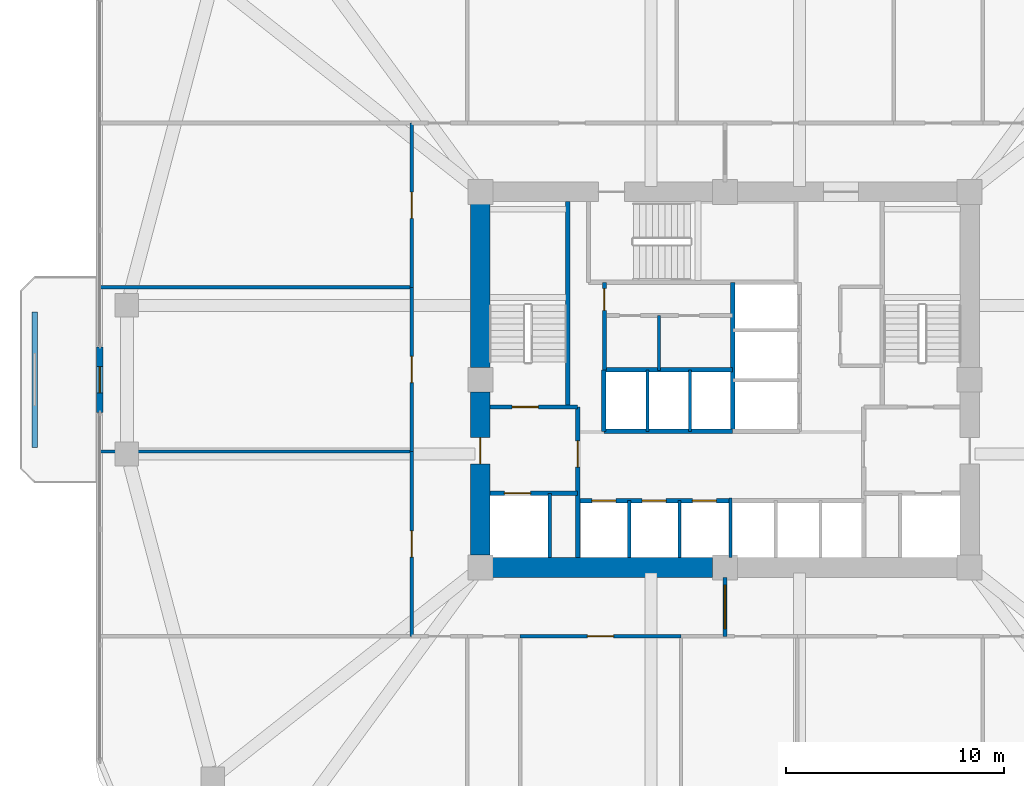
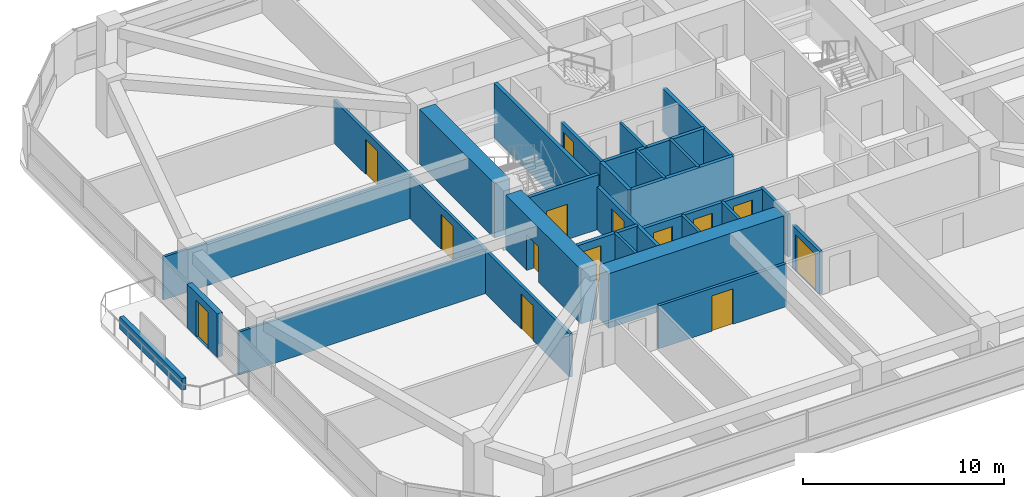
# One storey, part 10 of 15: 29 walls, 14 doors, 14 openings.
"""IFC4 building model written with IfcOpenShell, lengths in metres."""

import ifcopenshell
import ifcopenshell.guid

model = None  # the IFC model being written
_history = None  # IfcOwnerHistory: only IFC2X3 demands one
_inside = {}  # id of a spatial element -> (the spatial element, [elements in it])
_under = {}  # id of a project, library or spatial element -> (it, [spatial elements below it])
_declared = {}  # id of a project -> (the project, [libraries it declares])
_typed = {}  # id of a type object -> (the type object, [elements of that type])
_made_of = {}  # id of a material, layer set ... -> (it, [elements and type objects made of it])


def new_model(schema):
    """Start an empty IFC model of exactly this schema.

    Asked for "IFC4X3", IfcOpenShell would pick the latest addendum, in which some entities
    have other attributes; the version numbers below select the first issue.
    IFC2X3 requires an IfcOwnerHistory on every rooted entity: one is made here for all.
    """
    global model, _history
    if schema == "IFC4X3":
        model = ifcopenshell.file(schema_version=(4, 3, 0, 0))
    else:
        model = ifcopenshell.file(schema=schema)
    _inside.clear()
    _under.clear()
    _declared.clear()
    _typed.clear()
    _made_of.clear()
    _history = None
    if model.schema == "IFC2X3":
        org = make("IfcOrganization", Name="unknown")
        user = make(
            "IfcPersonAndOrganization",
            ThePerson=make("IfcPerson", FamilyName="unknown"),
            TheOrganization=org,
        )
        app = make(
            "IfcApplication",
            ApplicationDeveloper=org,
            Version="unknown",
            ApplicationFullName="unknown",
            ApplicationIdentifier="unknown",
        )
        _history = make(
            "IfcOwnerHistory",
            OwningUser=user,
            OwningApplication=app,
            ChangeAction="ADDED",
            CreationDate=0,
        )
    return model


def make(cls, **values):
    """One entity of the class cls with the attributes given. An attribute that is None is left unset."""
    return model.create_entity(
        cls, **{name: value for name, value in values.items() if value is not None}
    )


def rooted(cls, **values):
    """An entity with a GlobalId (a new one), such as an element, a storey or a relation."""
    return make(cls, GlobalId=ifcopenshell.guid.new(), OwnerHistory=_history, **values)


def si_unit(unit_type, name, prefix=None):
    """IfcSIUnit, for example si_unit("LENGTHUNIT", "METRE", prefix="MILLI")."""
    return make("IfcSIUnit", UnitType=unit_type, Prefix=prefix, Name=name)


def derived_unit(unit_type, elements):
    """IfcDerivedUnit: a product of units, each with its exponent."""
    return make(
        "IfcDerivedUnit",
        Elements=[
            make("IfcDerivedUnitElement", Unit=unit, Exponent=power)
            for unit, power in elements
        ],
        UnitType=unit_type,
    )


def assignment(units):
    """IfcUnitAssignment: the units of a project."""
    return None if units is None else make("IfcUnitAssignment", Units=units)


def point(xyz):
    """IfcCartesianPoint."""
    return None if xyz is None else make("IfcCartesianPoint", Coordinates=xyz)


def direction(xyz):
    """IfcDirection."""
    return None if xyz is None else make("IfcDirection", DirectionRatios=xyz)


def frame(location, z_axis=None, x_axis=None):
    """IfcAxis2Placement3D, a coordinate frame: its origin and axes. An axis left out is left unset."""
    return make(
        "IfcAxis2Placement3D",
        Location=point(location),
        Axis=direction(z_axis),
        RefDirection=direction(x_axis),
    )


def frame_2d(location, x_axis=None):
    """IfcAxis2Placement2D, a coordinate frame in the plane: its origin and x axis."""
    return make(
        "IfcAxis2Placement2D", Location=point(location), RefDirection=direction(x_axis)
    )


def origin():
    """The frame at (0, 0, 0) with its axes left unset."""
    return frame((0.0, 0.0, 0.0))


def place(relative_to, where):
    """IfcLocalPlacement: puts the frame where relative to a parent placement (None: the world)."""
    return make(
        "IfcLocalPlacement", PlacementRelTo=relative_to, RelativePlacement=where
    )


def context(
    kind, dimensions, precision=None, world=None, true_north=None, identifier=None
):
    """IfcGeometricRepresentationContext, for example the 3D "Model" context."""
    return make(
        "IfcGeometricRepresentationContext",
        ContextIdentifier=identifier,
        ContextType=kind,
        CoordinateSpaceDimension=dimensions,
        Precision=precision,
        WorldCoordinateSystem=world,
        TrueNorth=true_north,
    )


def subcontext(parent, identifier, kind, view, scale=None):
    """IfcGeometricRepresentationSubContext, for example "Body" below "Model"."""
    return make(
        "IfcGeometricRepresentationSubContext",
        ContextIdentifier=identifier,
        ContextType=kind,
        ParentContext=parent,
        TargetScale=scale,
        TargetView=view,
    )


def project(units=None, contexts=None):
    """IfcProject with its units and contexts."""
    return rooted(
        "IfcProject",
        Name="project",
        RepresentationContexts=contexts,
        UnitsInContext=assignment(units),
    )


def spatial(cls, under=None, at=None, **own):
    """A site, building, storey or space (cls), placed at a placement, below another one or the project."""
    s = rooted(cls, ObjectPlacement=at, **own)
    if under is not None:
        _under.setdefault(under.id(), (under, []))[1].append(s)
    return s


def profile(cls, at=None, kind="AREA", **sizes):
    """A parametric profile (cls). Its sizes go by their IFC names, for example OverallWidth=200.0."""
    return make(cls, ProfileType=kind, Position=at, **sizes)


def rectangle(**sizes):
    """IfcRectangleProfileDef."""
    return profile("IfcRectangleProfileDef", **sizes)


def extrude(swept, where, along, depth):
    """IfcExtrudedAreaSolid: the profile swept, set in the frame where, extruded along a direction by depth."""
    return make(
        "IfcExtrudedAreaSolid",
        SweptArea=swept,
        Position=where,
        ExtrudedDirection=direction(along),
        Depth=depth,
    )


def shape(context_of_items, identifier, shape_type, items):
    """IfcShapeRepresentation: the items that make up one representation, for example the "Body"."""
    return make(
        "IfcShapeRepresentation",
        ContextOfItems=context_of_items,
        RepresentationIdentifier=identifier,
        RepresentationType=shape_type,
        Items=items,
    )


def material(Name=None, Category=None):
    """IfcMaterial."""
    return make("IfcMaterial", Name=Name, Category=Category)


def layer(
    of_material, thickness, ventilated=None, Name=None, Category=None, Priority=None
):
    """IfcMaterialLayer: one layer of a wall or slab, of a material (None: an air gap)."""
    return make(
        "IfcMaterialLayer",
        Material=of_material,
        LayerThickness=thickness,
        IsVentilated=ventilated,
        Name=Name,
        Category=Category,
        Priority=Priority,
    )


def layer_set(layers, Name=None):
    """IfcMaterialLayerSet."""
    return make("IfcMaterialLayerSet", MaterialLayers=layers, LayerSetName=Name)


def made_of(thing, what):
    """Note that an element or type object is made of a material, layer set ...; save() writes the relation."""
    if what is not None:
        _made_of.setdefault(what.id(), (what, []))[1].append(thing)
    return thing


def type_object(cls, material=None, **own):
    """A type object (cls), such as IfcWallType, which elements share."""
    return made_of(rooted(cls, **own), material)


def element(
    cls,
    number,
    at=None,
    inside=None,
    cuts=None,
    type_object=None,
    material=None,
    context=None,
    identifier="Body",
    shape_type=None,
    held_by="IfcProductDefinitionShape",
    body=None,
    shapes=None,
    **own,
):
    """One element of the class cls, such as IfcWall. Its Tag is "e" and its number.

    at: its placement. inside: the storey or other place that contains it. cuts: it is an
    opening in that element (IfcRelVoidsElement). A single representation is given by context,
    identifier, shape_type and body (its items); several are given by shapes. held_by: the class
    of the entity that holds the representations. save() writes the other relations.
    """
    e = rooted(cls, Tag="e%d" % number, ObjectPlacement=at, **own)
    if body is not None:
        shapes = [shape(context, identifier, shape_type, body)]
    if shapes is not None:
        e.Representation = make(held_by, Representations=shapes)
    if inside is not None:
        _inside.setdefault(inside.id(), (inside, []))[1].append(e)
    if cuts is not None:
        rooted(
            "IfcRelVoidsElement", RelatingBuildingElement=cuts, RelatedOpeningElement=e
        )
    if type_object is not None:
        _typed.setdefault(type_object.id(), (type_object, []))[1].append(e)
    return made_of(e, material)


def fill(opening, filler):
    """IfcRelFillsElement: the door or window that sits in an opening."""
    return rooted(
        "IfcRelFillsElement",
        RelatingOpeningElement=opening,
        RelatedBuildingElement=filler,
    )


def aggregate(whole, parts):
    """IfcRelAggregates: a whole, such as a stair, and the parts it consists of."""
    return rooted("IfcRelAggregates", RelatingObject=whole, RelatedObjects=parts)


def save(model, path):
    """Write the relations noted so far, then the file.

    IfcRelAggregates (storeys below a building ...), IfcRelContainedInSpatialStructure (elements
    in a storey), IfcRelDefinesByType, IfcRelAssociatesMaterial and IfcRelDeclares: one each for
    every whole, place, type object, material and project.
    """
    for whole, parts in _under.values():
        aggregate(whole, parts)
    for where, things in _inside.values():
        rooted(
            "IfcRelContainedInSpatialStructure",
            RelatedElements=things,
            RelatingStructure=where,
        )
    for kind, things in _typed.values():
        rooted("IfcRelDefinesByType", RelatedObjects=things, RelatingType=kind)
    for what, things in _made_of.values():
        rooted("IfcRelAssociatesMaterial", RelatedObjects=things, RelatingMaterial=what)
    for by, libraries in _declared.values():
        rooted("IfcRelDeclares", RelatingContext=by, RelatedDefinitions=libraries)
    model.write(path)


model = new_model("IFC4")

# Units and contexts
model_context = context("Model", 3, precision=1e-05, world=origin(), true_north=direction((0.0, 1.0)))
body_context = subcontext(model_context, "Body", "Model", "MODEL_VIEW")
ifc_project = project(units=[si_unit("LENGTHUNIT", "METRE"), si_unit("AREAUNIT", "SQUARE_METRE"), si_unit("VOLUMEUNIT", "CUBIC_METRE"), si_unit("PLANEANGLEUNIT", "RADIAN"), si_unit("MASSUNIT", "GRAM", prefix="KILO"), derived_unit("THERMALTRANSMITTANCEUNIT", [(si_unit("POWERUNIT", "WATT"), 1), (si_unit("LENGTHUNIT", "METRE"), -2), (si_unit("THERMODYNAMICTEMPERATUREUNIT", "KELVIN"), -1)])], contexts=[model_context])

# Site, building, storey
site_placement = place(None, origin())
site = spatial("IfcSite", under=ifc_project, at=site_placement, CompositionType="ELEMENT")
building_placement = place(site_placement, origin())
building = spatial("IfcBuilding", under=site, at=building_placement, Name="Koralith Skygarden Medical Center", CompositionType="ELEMENT")
storey_placement = place(building_placement, frame((0.0, 0.0, 27.5400390625)))
storey = spatial("IfcBuildingStorey", under=building, at=storey_placement, Name="L06", CompositionType="ELEMENT", Elevation=27.5400390625)

# Walls
ifc_material_1 = material(Name="Gypsum Board Partition")
ifc_layer_1 = layer(ifc_material_1, 0.14990234375)
ifc_layer_set_1 = layer_set([ifc_layer_1], Name="Gypsum Board Partition")
wall_type_1 = type_object("IfcWallType", Name="Clinical Acoustic Partition 150", PredefinedType="PARTITIONING", material=ifc_layer_set_1)
wall_1_placement = place(storey_placement, frame((33.97998046875, 26.320068359375, 0.0), z_axis=(0.0, 0.0, 1.0), x_axis=(0.0, 1.0, 0.0)))
element("IfcWall", 1, at=wall_1_placement, inside=storey, type_object=wall_type_1, Name="L06 Clinical Acoustic Partition 150 W-CORE-L06-FLEX-V3A", PredefinedType="PARTITIONING", context=body_context, shape_type="SweptSolid", body=[
    extrude(rectangle(XDim=2.52001953125, YDim=0.14990234375, at=frame_2d((1.260009765625, 0.0))), origin(), (0.0, 0.0, 1.0), 2.60986328125),
])
for number, where, z_axis, x_axis, name in (
    (2, (22.64990234375, 22.610107421875, 0.0), (0.0, 0.0, 1.0), (-1.0, 0.0, 0.0), "L06 Clinical Acoustic Partition 150 W-PART-L06-W-01"),
    (3, (22.64990234375, 30.1298828125, 0.0), (0.0, 0.0, 1.0), (-1.0, 0.0, 0.0), "L06 Clinical Acoustic Partition 150 W-PART-L06-W-02"),
):
    element("IfcWall", number, at=place(storey_placement, frame(where, z_axis=z_axis, x_axis=x_axis)), inside=storey, type_object=wall_type_1, Name=name, PredefinedType="PARTITIONING", context=body_context, shape_type="SweptSolid", body=[
        extrude(rectangle(XDim=14.25, YDim=0.14990234375, at=frame_2d((7.125, 0.0))), origin(), (0.0, 0.0, 1.0), 2.60986328125),
    ])

# Wall, opening, door
ifc_layer_2 = layer(ifc_material_1, 0.1650390625)
ifc_layer_set_2 = layer_set([ifc_layer_2], Name="Gypsum Board Partition")
wall_type_2 = type_object("IfcWallType", Name="Clinical Corridor Partition 165", PredefinedType="PARTITIONING", material=ifc_layer_set_2)
wall_2_placement = place(storey_placement, frame((27.623046875, 14.14990234375, 0.0), z_axis=(0.0, 0.0, 1.0), x_axis=(1.0, 0.0, 0.0)))
wall_2 = element("IfcWall", 4, at=wall_2_placement, inside=storey, type_object=wall_type_2, Name="L06 Clinical Corridor Partition 165 W-CORR-L06-S-03", PredefinedType="PARTITIONING", context=body_context, shape_type="SweptSolid", body=[
    extrude(rectangle(XDim=7.35791015625, YDim=0.1650390625, at=frame_2d((3.678955078125, 0.0))), origin(), (0.0, 0.0, 1.0), 2.60986328125),
])
opening_1_placement = place(wall_2_placement, frame((3.0791015625, 0.0, 0.0)))
opening_1 = element("IfcOpeningElement", 5, at=opening_1_placement, cuts=wall_2, Name="Opening D-CLN", PredefinedType="OPENING", context=body_context, shape_type="SweptSolid", body=[
    extrude(rectangle(XDim=1.199951171875, YDim=2.14990234375, at=frame_2d((0.60009765625, 1.074951171875))), frame((0.0, 0.092529296875, 0.0), z_axis=(0.0, -1.0, 0.0), x_axis=(1.0, 0.0, 0.0)), (0.0, 0.0, 1.0), 0.18505859375),
])
ifc_material_2 = material(Name="Aluminium 6063-T6", Category="aluminium")
door_type_1 = type_object("IfcDoorType", Name="Clinical Corridor Door D-CLN 1200", OperationType="NOTDEFINED", PredefinedType="DOOR", material=ifc_material_2)
door_1_placement = place(opening_1_placement, frame((1.199951171875, 0.0, 0.0), z_axis=(0.0, 0.0, 1.0), x_axis=(-1.0, 0.0, 0.0)))
door_1 = element("IfcDoor", 6, at=door_1_placement, inside=storey, type_object=door_type_1, Name="L06 Clinical Consultation Office 08 Door", OperationType="SINGLE_SWING_LEFT", OverallHeight=2.14990234375, OverallWidth=1.199951171875, PredefinedType="DOOR", context=body_context, shape_type="SweptSolid", body=[
    extrude(rectangle(XDim=1.199951171875, YDim=2.14990234375, at=frame_2d((0.60009765625, 1.074951171875))), frame((0.0, 0.02490234375, 0.0), z_axis=(0.0, -1.0, 0.0), x_axis=(1.0, 0.0, 0.0)), (0.0, 0.0, 1.0), 0.050048828125),
])
fill(opening_1, door_1)

wall_3_placement = place(storey_placement, frame((22.64990234375, 14.14990234375, 0.0), z_axis=(0.0, 0.0, 1.0), x_axis=(0.0, 1.0, 0.0)))
wall_3 = element("IfcWall", 7, at=wall_3_placement, inside=storey, type_object=wall_type_2, Name="L06 Clinical Corridor Partition 165 W-CORR-L06-W-01", PredefinedType="PARTITIONING", context=body_context, shape_type="SweptSolid", body=[
    extrude(rectangle(XDim=8.460205078125, YDim=0.1650390625, at=frame_2d((4.22998046875, 0.0))), origin(), (0.0, 0.0, 1.0), 2.60986328125),
])
opening_2_placement = place(wall_3_placement, frame((3.6298828125, 0.0, 0.0)))
opening_2 = element("IfcOpeningElement", 8, at=opening_2_placement, cuts=wall_3, Name="Opening D-CLN", PredefinedType="OPENING", context=body_context, shape_type="SweptSolid", body=[
    extrude(rectangle(XDim=1.199951171875, YDim=2.14990234375, at=frame_2d((0.60009765625, 1.074951171875))), frame((0.0, 0.092529296875, 0.0), z_axis=(0.0, -1.0, 0.0), x_axis=(1.0, 0.0, 0.0)), (0.0, 0.0, 1.0), 0.18505859375),
])
door_2_placement = place(opening_2_placement, frame((1.199951171875, 0.0, 0.0), z_axis=(0.0, 0.0, 1.0), x_axis=(-1.0, 0.0, 0.0)))
door_2 = element("IfcDoor", 9, at=door_2_placement, inside=storey, type_object=door_type_1, Name="L06 Clinical Consultation Office 12 Door", OperationType="SINGLE_SWING_LEFT", OverallHeight=2.14990234375, OverallWidth=1.199951171875, PredefinedType="DOOR", context=body_context, shape_type="SweptSolid", body=[
    extrude(rectangle(XDim=1.199951171875, YDim=2.14990234375, at=frame_2d((0.60009765625, 1.074951171875))), frame((0.0, 0.02490234375, 0.0), z_axis=(0.0, -1.0, 0.0), x_axis=(1.0, 0.0, 0.0)), (0.0, 0.0, 1.0), 0.050048828125),
])
fill(opening_2, door_2)

wall_4_placement = place(storey_placement, frame((22.64990234375, 22.610107421875, 0.0), z_axis=(0.0, 0.0, 1.0), x_axis=(0.0, 1.0, 0.0)))
wall_4 = element("IfcWall", 10, at=wall_4_placement, inside=storey, type_object=wall_type_2, Name="L06 Clinical Corridor Partition 165 W-CORR-L06-W-02", PredefinedType="PARTITIONING", context=body_context, shape_type="SweptSolid", body=[
    extrude(rectangle(XDim=7.519775390625, YDim=0.1650390625, at=frame_2d((3.759765625, 0.0))), origin(), (0.0, 0.0, 1.0), 2.60986328125),
])
opening_3_placement = place(wall_4_placement, frame((3.159912109375, 0.0, 0.0)))
opening_3 = element("IfcOpeningElement", 11, at=opening_3_placement, cuts=wall_4, Name="Opening D-CLN", PredefinedType="OPENING", context=body_context, shape_type="SweptSolid", body=[
    extrude(rectangle(XDim=1.199951171875, YDim=2.14990234375, at=frame_2d((0.60009765625, 1.074951171875))), frame((0.0, 0.092529296875, 0.0), z_axis=(0.0, -1.0, 0.0), x_axis=(1.0, 0.0, 0.0)), (0.0, 0.0, 1.0), 0.18505859375),
])
door_3_placement = place(opening_3_placement, frame((1.199951171875, 0.0, 0.0), z_axis=(0.0, 0.0, 1.0), x_axis=(-1.0, 0.0, 0.0)))
door_3 = element("IfcDoor", 12, at=door_3_placement, inside=storey, type_object=door_type_1, Name="L06 Patient and Family Sky-Garden Day Lounge 13 Door", OperationType="SINGLE_SWING_RIGHT", OverallHeight=2.14990234375, OverallWidth=1.199951171875, PredefinedType="DOOR", context=body_context, shape_type="SweptSolid", body=[
    extrude(rectangle(XDim=1.199951171875, YDim=2.14990234375, at=frame_2d((0.60009765625, 1.074951171875))), frame((0.0, 0.02490234375, 0.0), z_axis=(0.0, -1.0, 0.0), x_axis=(1.0, 0.0, 0.0)), (0.0, 0.0, 1.0), 0.050048828125),
])
fill(opening_3, door_3)

wall_5_placement = place(storey_placement, frame((22.64990234375, 30.1298828125, 0.0), z_axis=(0.0, 0.0, 1.0), x_axis=(0.0, 1.0, 0.0)))
wall_5 = element("IfcWall", 13, at=wall_5_placement, inside=storey, type_object=wall_type_2, Name="L06 Clinical Corridor Partition 165 W-CORR-L06-W-03", PredefinedType="PARTITIONING", context=body_context, shape_type="SweptSolid", body=[
    extrude(rectangle(XDim=7.52001953125, YDim=0.1650390625, at=frame_2d((3.760009765625, 0.0))), origin(), (0.0, 0.0, 1.0), 2.60986328125),
])
opening_4_placement = place(wall_5_placement, frame((3.159912109375, 0.0, 0.0)))
opening_4 = element("IfcOpeningElement", 14, at=opening_4_placement, cuts=wall_5, Name="Opening D-CLN", PredefinedType="OPENING", context=body_context, shape_type="SweptSolid", body=[
    extrude(rectangle(XDim=1.199951171875, YDim=2.14990234375, at=frame_2d((0.60009765625, 1.074951171875))), frame((0.0, 0.092529296875, 0.0), z_axis=(0.0, -1.0, 0.0), x_axis=(1.0, 0.0, 0.0)), (0.0, 0.0, 1.0), 0.18505859375),
])
door_4_placement = place(opening_4_placement, frame((1.199951171875, 0.0, 0.0), z_axis=(0.0, 0.0, 1.0), x_axis=(-1.0, 0.0, 0.0)))
door_4 = element("IfcDoor", 15, at=door_4_placement, inside=storey, type_object=door_type_1, Name="L06 Decentralized Nurse Charting Station 14 Door", OperationType="SINGLE_SWING_LEFT", OverallHeight=2.14990234375, OverallWidth=1.199951171875, PredefinedType="DOOR", context=body_context, shape_type="SweptSolid", body=[
    extrude(rectangle(XDim=1.199951171875, YDim=2.14990234375, at=frame_2d((0.60009765625, 1.074951171875))), frame((0.0, 0.02490234375, 0.0), z_axis=(0.0, -1.0, 0.0), x_axis=(1.0, 0.0, 0.0)), (0.0, 0.0, 1.0), 0.050048828125),
])
fill(opening_4, door_4)

ifc_layer_3 = layer(ifc_material_1, 0.199951171875)
ifc_layer_set_3 = layer_set([ifc_layer_3], Name="Gypsum Board Partition")
wall_type_3 = type_object("IfcWallType", Name="Fire Shaft Wall 200", PredefinedType="SOLIDWALL", material=ifc_layer_set_3)
wall_6_placement = place(storey_placement, frame((26.25, 20.699951171875, 0.0), z_axis=(0.0, 0.0, 1.0), x_axis=(1.0, 0.0, 0.0)))
wall_6 = element("IfcWall", 16, at=wall_6_placement, inside=storey, type_object=wall_type_3, Name="L06 Fire Shaft Wall 200 W-CORE-L06-FF1-N", PredefinedType="SOLIDWALL", context=body_context, shape_type="SweptSolid", body=[
    extrude(rectangle(XDim=4.0, YDim=0.199951171875, at=frame_2d((2.0, 0.0))), origin(), (0.0, 0.0, 1.0), 2.60986328125),
])
opening_5_placement = place(wall_6_placement, frame((0.64990234375, 0.0, 0.0)))
opening_5 = element("IfcOpeningElement", 17, at=opening_5_placement, cuts=wall_6, Name="Opening LD-FF", PredefinedType="OPENING", context=body_context, shape_type="SweptSolid", body=[
    extrude(rectangle(XDim=1.199951171875, YDim=2.14990234375, at=frame_2d((0.60009765625, 1.074951171875))), frame((0.0, 0.10986328125, 0.0), z_axis=(0.0, -1.0, 0.0), x_axis=(1.0, 0.0, 0.0)), (0.0, 0.0, 1.0), 0.219970703125),
])
ifc_material_3 = material(Name="Steel ASTM A500 Grade C", Category="steel")
door_type_2 = type_object("IfcDoorType", Name="Fire Lift Sliding Landing Door LD-FF 1200", OperationType="NOTDEFINED", PredefinedType="DOOR", material=ifc_material_3)
door_5_placement = place(opening_5_placement, origin())
door_5 = element("IfcDoor", 18, at=door_5_placement, inside=storey, type_object=door_type_2, Name="L06 Fire Service Elevator FF1 Landing Door", OperationType="SLIDING_TO_LEFT", OverallHeight=2.14990234375, OverallWidth=1.199951171875, PredefinedType="DOOR", context=body_context, shape_type="SweptSolid", body=[
    extrude(rectangle(XDim=1.199951171875, YDim=2.14990234375, at=frame_2d((0.60009765625, 1.074951171875))), frame((0.0, 0.02490234375, 0.0), z_axis=(0.0, -1.0, 0.0), x_axis=(1.0, 0.0, 0.0)), (0.0, 0.0, 1.0), 0.050048828125),
])
fill(opening_5, door_5)

wall_7_placement = place(storey_placement, frame((30.25, 17.75, 0.0), z_axis=(0.0, 0.0, 1.0), x_axis=(0.0, 1.0, 0.0)))
wall_7 = element("IfcWall", 19, at=wall_7_placement, inside=storey, type_object=wall_type_3, Name="L06 Fire Shaft Wall 200 W-CORE-L06-FSAEW-E", PredefinedType="SOLIDWALL", context=body_context, shape_type="SweptSolid", body=[
    extrude(rectangle(XDim=6.89990234375, YDim=0.199951171875, at=frame_2d((3.449951171875, 0.0))), origin(), (0.0, 0.0, 1.0), 2.60986328125),
])
opening_6_placement = place(wall_7_placement, frame((4.14990234375, 0.0, 0.0)))
opening_6 = element("IfcOpeningElement", 20, at=opening_6_placement, cuts=wall_7, Name="Opening D-ST60", PredefinedType="OPENING", context=body_context, shape_type="SweptSolid", body=[
    extrude(rectangle(XDim=1.199951171875, YDim=2.14990234375, at=frame_2d((0.60009765625, 1.074951171875))), frame((0.0, 0.10986328125, 0.0), z_axis=(0.0, -1.0, 0.0), x_axis=(1.0, 0.0, 0.0)), (0.0, 0.0, 1.0), 0.219970703125),
])
door_type_3 = type_object("IfcDoorType", Name="Smokeproof Stair Fire Door FD60S 1200", OperationType="NOTDEFINED", PredefinedType="DOOR", material=ifc_material_3)
door_6_placement = place(opening_6_placement, origin())
door_6 = element("IfcDoor", 21, at=door_6_placement, inside=storey, type_object=door_type_3, Name="L06 West Firefighting Lobby Inner Fire Door", OperationType="SINGLE_SWING_LEFT", OverallHeight=2.14990234375, OverallWidth=1.199951171875, PredefinedType="DOOR", context=body_context, shape_type="SweptSolid", body=[
    extrude(rectangle(XDim=1.199951171875, YDim=2.14990234375, at=frame_2d((0.60009765625, 1.074951171875))), frame((0.0, 0.02490234375, 0.0), z_axis=(0.0, -1.0, 0.0), x_axis=(1.0, 0.0, 0.0)), (0.0, 0.0, 1.0), 0.050048828125),
])
fill(opening_6, door_6)

# Wall, openings, doors
wall_8_placement = place(storey_placement, frame((30.25, 20.360107421875, 0.0), z_axis=(0.0, 0.0, 1.0), x_axis=(1.0, 0.0, 0.0)))
wall_8 = element("IfcWall", 22, at=wall_8_placement, inside=storey, type_object=wall_type_3, Name="L06 Fire Shaft Wall 200 W-CORE-L06-PL-N", PredefinedType="SOLIDWALL", context=body_context, shape_type="SweptSolid", body=[
    extrude(rectangle(XDim=7.0, YDim=0.199951171875, at=frame_2d((3.5, 0.0))), origin(), (0.0, 0.0, 1.0), 2.60986328125),
])
opening_7_placement = place(wall_8_placement, frame((0.64990234375, 0.0, 0.0)))
opening_7 = element("IfcOpeningElement", 23, at=opening_7_placement, cuts=wall_8, Name="Opening LD-P", PredefinedType="OPENING", context=body_context, shape_type="SweptSolid", body=[
    extrude(rectangle(XDim=1.10009765625, YDim=2.14990234375, at=frame_2d((0.550048828125, 1.074951171875))), frame((0.0, 0.10986328125, 0.0), z_axis=(0.0, -1.0, 0.0), x_axis=(1.0, 0.0, 0.0)), (0.0, 0.0, 1.0), 0.219970703125),
])
opening_8_placement = place(wall_8_placement, frame((2.949951171875, 0.0, 0.0)))
opening_8 = element("IfcOpeningElement", 24, at=opening_8_placement, cuts=wall_8, Name="Opening LD-P", PredefinedType="OPENING", context=body_context, shape_type="SweptSolid", body=[
    extrude(rectangle(XDim=1.10009765625, YDim=2.14990234375, at=frame_2d((0.550048828125, 1.074951171875))), frame((0.0, 0.10986328125, 0.0), z_axis=(0.0, -1.0, 0.0), x_axis=(1.0, 0.0, 0.0)), (0.0, 0.0, 1.0), 0.219970703125),
])
opening_9_placement = place(wall_8_placement, frame((5.25, 0.0, 0.0)))
opening_9 = element("IfcOpeningElement", 25, at=opening_9_placement, cuts=wall_8, Name="Opening LD-P", PredefinedType="OPENING", context=body_context, shape_type="SweptSolid", body=[
    extrude(rectangle(XDim=1.10009765625, YDim=2.14990234375, at=frame_2d((0.550048828125, 1.074951171875))), frame((0.0, 0.10986328125, 0.0), z_axis=(0.0, -1.0, 0.0), x_axis=(1.0, 0.0, 0.0)), (0.0, 0.0, 1.0), 0.219970703125),
])
door_type_4 = type_object("IfcDoorType", Name="Passenger Lift Sliding Landing Door LD-P 1100", OperationType="NOTDEFINED", PredefinedType="DOOR", material=ifc_material_3)
door_7_placement = place(opening_7_placement, origin())
door_7 = element("IfcDoor", 26, at=door_7_placement, inside=storey, type_object=door_type_4, Name="L06 Passenger Elevator PL1 Landing Door", OperationType="SLIDING_TO_LEFT", OverallHeight=2.14990234375, OverallWidth=1.10009765625, PredefinedType="DOOR", context=body_context, shape_type="SweptSolid", body=[
    extrude(rectangle(XDim=1.10009765625, YDim=2.14990234375, at=frame_2d((0.550048828125, 1.074951171875))), frame((0.0, 0.02490234375, 0.0), z_axis=(0.0, -1.0, 0.0), x_axis=(1.0, 0.0, 0.0)), (0.0, 0.0, 1.0), 0.050048828125),
])
fill(opening_7, door_7)
door_8_placement = place(opening_8_placement, origin())
door_8 = element("IfcDoor", 27, at=door_8_placement, inside=storey, type_object=door_type_4, Name="L06 Passenger Elevator PL2 Landing Door", OperationType="SLIDING_TO_LEFT", OverallHeight=2.14990234375, OverallWidth=1.10009765625, PredefinedType="DOOR", context=body_context, shape_type="SweptSolid", body=[
    extrude(rectangle(XDim=1.10009765625, YDim=2.14990234375, at=frame_2d((0.550048828125, 1.074951171875))), frame((0.0, 0.02490234375, 0.0), z_axis=(0.0, -1.0, 0.0), x_axis=(1.0, 0.0, 0.0)), (0.0, 0.0, 1.0), 0.050048828125),
])
fill(opening_8, door_8)
door_9_placement = place(opening_9_placement, origin())
door_9 = element("IfcDoor", 28, at=door_9_placement, inside=storey, type_object=door_type_4, Name="L06 Passenger Elevator PL3 Landing Door", OperationType="SLIDING_TO_LEFT", OverallHeight=2.14990234375, OverallWidth=1.10009765625, PredefinedType="DOOR", context=body_context, shape_type="SweptSolid", body=[
    extrude(rectangle(XDim=1.10009765625, YDim=2.14990234375, at=frame_2d((0.550048828125, 1.074951171875))), frame((0.0, 0.02490234375, 0.0), z_axis=(0.0, -1.0, 0.0), x_axis=(1.0, 0.0, 0.0)), (0.0, 0.0, 1.0), 0.050048828125),
])
fill(opening_9, door_9)

# Walls
for number, where, z_axis, x_axis, name in (
    (29, (31.449951171875, 23.5400390625, 0.0), (0.0, 0.0, 1.0), (1.0, 0.0, 0.0), "L06 Fire Shaft Wall 200 W-CORE-L06-PH-S"),
    (30, (31.449951171875, 26.35009765625, 0.0), (0.0, 0.0, 1.0), (1.0, 0.0, 0.0), "L06 Fire Shaft Wall 200 W-CORE-L06-PH-N"),
):
    element("IfcWall", number, at=place(storey_placement, frame(where, z_axis=z_axis, x_axis=x_axis)), inside=storey, type_object=wall_type_3, Name=name, PredefinedType="SOLIDWALL", context=body_context, shape_type="SweptSolid", body=[
        extrude(rectangle(XDim=5.900146484375, YDim=0.199951171875, at=frame_2d((2.9501953125, 0.0))), origin(), (0.0, 0.0, 1.0), 2.60986328125),
    ])
wall_9_placement = place(storey_placement, frame((31.449951171875, 23.5400390625, 0.0), z_axis=(0.0, 0.0, 1.0), x_axis=(0.0, 1.0, 0.0)))
element("IfcWall", 31, at=wall_9_placement, inside=storey, type_object=wall_type_3, Name="L06 Fire Shaft Wall 200 W-CORE-L06-PH-W", PredefinedType="SOLIDWALL", context=body_context, shape_type="SweptSolid", body=[
    extrude(rectangle(XDim=2.81005859375, YDim=0.199951171875, at=frame_2d((1.405029296875, 0.0))), origin(), (0.0, 0.0, 1.0), 2.60986328125),
])
wall_10_placement = place(storey_placement, frame((37.35009765625, 23.5400390625, 0.0), z_axis=(0.0, 0.0, 1.0), x_axis=(0.0, 1.0, 0.0)))
element("IfcWall", 32, at=wall_10_placement, inside=storey, type_object=wall_type_3, Name="L06 Fire Shaft Wall 200 W-CORE-L06-SV-W", PredefinedType="SOLIDWALL", context=body_context, shape_type="SweptSolid", body=[
    extrude(rectangle(XDim=6.820068359375, YDim=0.199951171875, at=frame_2d((3.41015625, 0.0))), origin(), (0.0, 0.0, 1.0), 2.60986328125),
])

# Wall, opening, door
ifc_layer_4 = layer(ifc_material_1, 0.179931640625)
ifc_layer_set_4 = layer_set([ifc_layer_4], Name="Gypsum Board Partition")
wall_type_4 = type_object("IfcWallType", Name="Group I-2 Smoke Barrier Wall 180", PredefinedType="PARTITIONING", material=ifc_layer_set_4)
wall_11_placement = place(storey_placement, frame((37.0, 14.14990234375, 0.0), z_axis=(0.0, 0.0, 1.0), x_axis=(0.0, 1.0, 0.0)))
wall_11 = element("IfcWall", 33, at=wall_11_placement, inside=storey, type_object=wall_type_4, Name="L06 Group I-2 Smoke Barrier Wall 180 W-SMK-L06-S", PredefinedType="PARTITIONING", context=body_context, shape_type="SweptSolid", body=[
    extrude(rectangle(XDim=2.7001953125, YDim=0.179931640625, at=frame_2d((1.35009765625, 0.0))), origin(), (0.0, 0.0, 1.0), 2.60986328125),
])
opening_10_placement = place(wall_11_placement, frame((0.35009765625, 0.0, 0.0)))
opening_10 = element("IfcOpeningElement", 34, at=opening_10_placement, cuts=wall_11, Name="Opening D-SMK", PredefinedType="OPENING", context=body_context, shape_type="SweptSolid", body=[
    extrude(rectangle(XDim=2.0, YDim=2.199951171875, at=frame_2d((1.0, 1.10009765625))), frame((0.0, 0.099853515625, 0.0), z_axis=(0.0, -1.0, 0.0), x_axis=(1.0, 0.0, 0.0)), (0.0, 0.0, 1.0), 0.199951171875),
])
door_type_5 = type_object("IfcDoorType", Name="Cross-Corridor Double Smoke Door FD60S 2000", OperationType="NOTDEFINED", PredefinedType="DOOR", material=ifc_material_3)
door_10_placement = place(opening_10_placement, frame((2.0, 0.0, 0.0), z_axis=(0.0, 0.0, 1.0), x_axis=(-1.0, 0.0, 0.0)))
door_10 = element("IfcDoor", 35, at=door_10_placement, inside=storey, type_object=door_type_5, Name="L06 S Smoke Compartment Cross-Corridor Door", OperationType="DOUBLE_DOOR_SINGLE_SWING", OverallHeight=2.199951171875, OverallWidth=2.0, PredefinedType="DOOR", context=body_context, shape_type="SweptSolid", body=[
    extrude(rectangle(XDim=2.0, YDim=2.199951171875, at=frame_2d((1.0, 1.10009765625))), frame((0.0, 0.02490234375, 0.0), z_axis=(0.0, -1.0, 0.0), x_axis=(1.0, 0.0, 0.0)), (0.0, 0.0, 1.0), 0.050048828125),
])
fill(opening_10, door_10)

# Walls
ifc_material_4 = material(Name="Concrete C70/85", Category="concrete")
ifc_layer_5 = layer(ifc_material_4, 0.89990234375)
ifc_layer_set_5 = layer_set([ifc_layer_5], Name="Concrete C70/85")
wall_type_5 = type_object("IfcWallType", Name="Lower Core Shear Wall 900", PredefinedType="SHEAR", material=ifc_layer_set_5)
wall_12_placement = place(storey_placement, frame((26.364990234375, 17.300048828125, 0.0), z_axis=(0.0, 0.0, 1.0), x_axis=(1.0, 0.0, 0.0)))
element("IfcWall", 36, at=wall_12_placement, inside=storey, type_object=wall_type_5, Name="L06 Core Shear Wall Segment 1", PredefinedType="SHEAR", context=body_context, shape_type="SweptSolid", body=[
    extrude(rectangle(XDim=10.070068359375, YDim=0.89990234375, at=frame_2d((5.03515625, 0.0))), origin(), (0.0, 0.0, 1.0), 3.320068359375),
])
wall_13_placement = place(storey_placement, frame((25.800048828125, 33.93505859375, 0.0), z_axis=(0.0, 0.0, 1.0), x_axis=(0.0, -1.0, 0.0)))
element("IfcWall", 37, at=wall_13_placement, inside=storey, type_object=wall_type_5, Name="L06 Core Shear Wall Segment 7", PredefinedType="SHEAR", context=body_context, shape_type="SweptSolid", body=[
    extrude(rectangle(XDim=7.469970703125, YDim=0.89990234375, at=frame_2d((3.73486328125, 0.0))), origin(), (0.0, 0.0, 1.0), 3.320068359375),
])

# Wall, opening, door
wall_14_placement = place(storey_placement, frame((25.800048828125, 25.3349609375, 0.0), z_axis=(0.0, 0.0, 1.0), x_axis=(0.0, -1.0, 0.0)))
wall_14 = element("IfcWall", 38, at=wall_14_placement, inside=storey, type_object=wall_type_5, Name="L06 Core Shear Wall Segment 8", PredefinedType="SHEAR", context=body_context, shape_type="SweptSolid", body=[
    extrude(rectangle(XDim=7.469970703125, YDim=0.89990234375, at=frame_2d((3.73486328125, 0.0))), origin(), (0.0, 0.0, 1.0), 3.320068359375),
])
opening_11_placement = place(wall_14_placement, frame((2.0849609375, 0.0, 0.0)))
opening_11 = element("IfcOpeningElement", 39, at=opening_11_placement, cuts=wall_14, Name="Opening D-ST60", PredefinedType="OPENING", context=body_context, shape_type="SweptSolid", body=[
    extrude(rectangle(XDim=1.199951171875, YDim=2.14990234375, at=frame_2d((0.60009765625, 1.074951171875))), frame((0.0, 0.4599609375, 0.0), z_axis=(0.0, -1.0, 0.0), x_axis=(1.0, 0.0, 0.0)), (0.0, 0.0, 1.0), 0.919921875),
])
door_11_placement = place(opening_11_placement, frame((1.199951171875, 0.0, 0.0), z_axis=(0.0, 0.0, 1.0), x_axis=(-1.0, 0.0, 0.0)))
door_11 = element("IfcDoor", 40, at=door_11_placement, inside=storey, type_object=door_type_3, Name="L06 West Corridor to Firefighting Lobby Door", OperationType="SINGLE_SWING_LEFT", OverallHeight=2.14990234375, OverallWidth=1.199951171875, PredefinedType="DOOR", context=body_context, shape_type="SweptSolid", body=[
    extrude(rectangle(XDim=1.199951171875, YDim=2.14990234375, at=frame_2d((0.60009765625, 1.074951171875))), frame((0.0, 0.02490234375, 0.0), z_axis=(0.0, -1.0, 0.0), x_axis=(1.0, 0.0, 0.0)), (0.0, 0.0, 1.0), 0.050048828125),
])
fill(opening_11, door_11)

ifc_material_5 = material(Name="Warm Oolitic Limestone Cladding", Category="masonry")
ifc_layer_6 = layer(ifc_material_5, 0.300048828125)
ifc_layer_set_6 = layer_set([ifc_layer_6], Name="Warm Oolitic Limestone Cladding")
wall_type_6 = type_object("IfcWallType", Name="Oolitic Limestone Insulated Facade Wall 300", PredefinedType="SOLIDWALL", material=ifc_layer_set_6)
wall_15_placement = place(storey_placement, frame((8.3798828125, 27.39990234375, 0.0), z_axis=(0.0, 0.0, 1.0), x_axis=(0.0, -1.0, 0.0)))
wall_15 = element("IfcWall", 41, at=wall_15_placement, inside=storey, type_object=wall_type_6, Name="L06 Terrace Portal Wall W", PredefinedType="SOLIDWALL", context=body_context, shape_type="SweptSolid", body=[
    extrude(rectangle(XDim=3.0, YDim=0.300048828125, at=frame_2d((1.5, 0.0))), origin(), (0.0, 0.0, 1.0), 2.64990234375),
])
opening_12_placement = place(wall_15_placement, frame((0.89990234375, 0.0, 0.0)))
opening_12 = element("IfcOpeningElement", 42, at=opening_12_placement, cuts=wall_15, Name="Opening D-BAL", PredefinedType="OPENING", context=body_context, shape_type="SweptSolid", body=[
    extrude(rectangle(XDim=1.199951171875, YDim=2.199951171875, at=frame_2d((0.60009765625, 1.10009765625))), frame((0.0, 0.159912109375, 0.0), z_axis=(0.0, -1.0, 0.0), x_axis=(1.0, 0.0, 0.0)), (0.0, 0.0, 1.0), 0.320068359375),
])
door_type_6 = type_object("IfcDoorType", Name="Planted Balcony Glazed Terrace Door D-BAL 1200", OperationType="NOTDEFINED", PredefinedType="DOOR", material=ifc_material_2)
door_12_placement = place(opening_12_placement, origin())
door_12 = element("IfcDoor", 43, at=door_12_placement, inside=storey, type_object=door_type_6, Name="L06 W Outdoor Terrace Access Door", OperationType="SINGLE_SWING_LEFT", OverallHeight=2.199951171875, OverallWidth=1.199951171875, PredefinedType="DOOR", context=body_context, shape_type="SweptSolid", body=[
    extrude(rectangle(XDim=1.199951171875, YDim=2.199951171875, at=frame_2d((0.60009765625, 1.10009765625))), frame((0.0, 0.02490234375, 0.0), z_axis=(0.0, -1.0, 0.0), x_axis=(1.0, 0.0, 0.0)), (0.0, 0.0, 1.0), 0.050048828125),
])
fill(opening_12, door_12)

ifc_layer_7 = layer(ifc_material_1, 0.1650390625)
ifc_layer_set_7 = layer_set([ifc_layer_7], Name="Gypsum Board Partition")
wall_type_7 = type_object("IfcWallType", Name="Plumbing Wet Wall 165", PredefinedType="PLUMBINGWALL", material=ifc_layer_set_7)
wall_16_placement = place(storey_placement, frame((31.47998046875, 26.320068359375, 0.0), z_axis=(0.0, 0.0, 1.0), x_axis=(0.0, 1.0, 0.0)))
wall_16 = element("IfcWall", 44, at=wall_16_placement, inside=storey, type_object=wall_type_7, Name="L06 Plumbing Wet Wall 165 W-CORE-L06-FLEX-W", PredefinedType="PLUMBINGWALL", context=body_context, shape_type="SweptSolid", body=[
    extrude(rectangle(XDim=4.0400390625, YDim=0.1650390625, at=frame_2d((2.02001953125, 0.0))), origin(), (0.0, 0.0, 1.0), 2.60986328125),
])
opening_13_placement = place(wall_16_placement, frame((2.75, 0.0, 0.0)))
opening_13 = element("IfcOpeningElement", 45, at=opening_13_placement, cuts=wall_16, Name="Opening D-SUP", PredefinedType="OPENING", context=body_context, shape_type="SweptSolid", body=[
    extrude(rectangle(XDim=1.0, YDim=2.14990234375, at=frame_2d((0.5, 1.074951171875))), frame((0.0, 0.092529296875, 0.0), z_axis=(0.0, -1.0, 0.0), x_axis=(1.0, 0.0, 0.0)), (0.0, 0.0, 1.0), 0.18505859375),
])
door_type_7 = type_object("IfcDoorType", Name="Clinical Support Door D-SUP 1000", OperationType="NOTDEFINED", PredefinedType="DOOR", material=ifc_material_2)
door_13_placement = place(opening_13_placement, frame((1.0, 0.0, 0.0), z_axis=(0.0, 0.0, 1.0), x_axis=(-1.0, 0.0, 0.0)))
door_13 = element("IfcDoor", 46, at=door_13_placement, inside=storey, type_object=door_type_7, Name="L06 Core Utility Alcove Door", OperationType="SINGLE_SWING_RIGHT", OverallHeight=2.14990234375, OverallWidth=1.0, PredefinedType="DOOR", context=body_context, shape_type="SweptSolid", body=[
    extrude(rectangle(XDim=1.0, YDim=2.14990234375, at=frame_2d((0.5, 1.074951171875))), frame((0.0, 0.02490234375, 0.0), z_axis=(0.0, -1.0, 0.0), x_axis=(1.0, 0.0, 0.0)), (0.0, 0.0, 1.0), 0.050048828125),
])
fill(opening_13, door_13)

# Walls
ifc_layer_8 = layer(ifc_material_1, 0.14990234375)
ifc_layer_set_8 = layer_set([ifc_layer_8], Name="Gypsum Board Partition")
wall_type_8 = type_object("IfcWallType", Name="Shaft Partition Wall 150", PredefinedType="PARTITIONING", material=ifc_layer_set_8)
wall_17_placement = place(storey_placement, frame((28.969970703125, 17.75, 0.0), z_axis=(0.0, 0.0, 1.0), x_axis=(0.0, 1.0, 0.0)))
element("IfcWall", 47, at=wall_17_placement, inside=storey, type_object=wall_type_8, Name="L06 Shaft Partition Wall 150 W-CORE-L06-RSRW-DIV", PredefinedType="PARTITIONING", context=body_context, shape_type="SweptSolid", body=[
    extrude(rectangle(XDim=2.949951171875, YDim=0.14990234375, at=frame_2d((1.47509765625, 0.0))), origin(), (0.0, 0.0, 1.0), 2.60986328125),
])
for number, where, z_axis, x_axis, name in (
    (48, (32.6201171875, 17.75, 0.0), (0.0, 0.0, 1.0), (0.0, 1.0, 0.0), "L06 Shaft Partition Wall 150 W-CORE-L06-PL-D1"),
    (49, (34.919921875, 17.75, 0.0), (0.0, 0.0, 1.0), (0.0, 1.0, 0.0), "L06 Shaft Partition Wall 150 W-CORE-L06-PL-D2"),
):
    element("IfcWall", number, at=place(storey_placement, frame(where, z_axis=z_axis, x_axis=x_axis)), inside=storey, type_object=wall_type_8, Name=name, PredefinedType="PARTITIONING", context=body_context, shape_type="SweptSolid", body=[
        extrude(rectangle(XDim=2.610107421875, YDim=0.14990234375, at=frame_2d((1.30517578125, 0.0))), origin(), (0.0, 0.0, 1.0), 2.60986328125),
    ])
wall_18_placement = place(storey_placement, frame((37.25, 17.75, 0.0), z_axis=(0.0, 0.0, 1.0), x_axis=(0.0, 1.0, 0.0)))
element("IfcWall", 50, at=wall_18_placement, inside=storey, type_object=wall_type_8, Name="L06 Shaft Partition Wall 150 W-CORE-L06-PL-PM-SEP", PredefinedType="PARTITIONING", context=body_context, shape_type="SweptSolid", body=[
    extrude(rectangle(XDim=2.72998046875, YDim=0.14990234375, at=frame_2d((1.364990234375, 0.0))), origin(), (0.0, 0.0, 1.0), 2.60986328125),
])
for number, where, z_axis, x_axis, name in (
    (51, (33.449951171875, 23.5400390625, 0.0), (0.0, 0.0, 1.0), (0.0, 1.0, 0.0), "L06 Shaft Partition Wall 150 W-CORE-L06-PH-D1"),
    (52, (35.39990234375, 23.5400390625, 0.0), (0.0, 0.0, 1.0), (0.0, 1.0, 0.0), "L06 Shaft Partition Wall 150 W-CORE-L06-PH-D2"),
):
    element("IfcWall", number, at=place(storey_placement, frame(where, z_axis=z_axis, x_axis=x_axis)), inside=storey, type_object=wall_type_8, Name=name, PredefinedType="PARTITIONING", context=body_context, shape_type="SweptSolid", body=[
        extrude(rectangle(XDim=2.81005859375, YDim=0.14990234375, at=frame_2d((1.405029296875, 0.0))), origin(), (0.0, 0.0, 1.0), 2.60986328125),
    ])
ifc_material_6 = material(Name="Precast concrete C40/50", Category="concrete")
ifc_layer_9 = layer(ifc_material_6, 0.25)
ifc_layer_set_9 = layer_set([ifc_layer_9], Name="Precast concrete C40/50")
wall_type_9 = type_object("IfcWallType", Name="Structural Concrete Balcony Planter Kerb 250", PredefinedType="PARAPET", material=ifc_layer_set_9)
wall_19_placement = place(storey_placement, frame((5.39990234375, 22.800048828125, 0.0), z_axis=(0.0, 0.0, 1.0), x_axis=(0.0, 1.0, 0.0)))
element("IfcWall", 53, at=wall_19_placement, inside=storey, type_object=wall_type_9, Name="L06 W Structural Tree PLANTER Box", PredefinedType="PARAPET", context=body_context, shape_type="SweptSolid", body=[
    extrude(rectangle(XDim=6.199951171875, YDim=0.25, at=frame_2d((3.10009765625, 0.0))), origin(), (0.0, 0.0, 1.0), 0.719970703125),
])
ifc_material_7 = material(Name="Concrete C45/55", Category="concrete")
ifc_layer_10 = layer(ifc_material_7, 0.199951171875)
ifc_layer_set_10 = layer_set([ifc_layer_10], Name="Concrete C45/55")
wall_type_10 = type_object("IfcWallType", Name="Structural Stair Shaft Wall 200", PredefinedType="SHEAR", material=ifc_layer_set_10)
wall_20_placement = place(storey_placement, frame((29.800048828125, 24.64990234375, 0.0), z_axis=(0.0, 0.0, 1.0), x_axis=(0.0, 1.0, 0.0)))
element("IfcWall", 54, at=wall_20_placement, inside=storey, type_object=wall_type_10, Name="L06 Structural Stair Shaft Wall 200 W-CORE-L06-ST1-E", PredefinedType="SHEAR", context=body_context, shape_type="SweptSolid", body=[
    extrude(rectangle(XDim=9.400146484375, YDim=0.199951171875, at=frame_2d((4.7001953125, 0.0))), origin(), (0.0, 0.0, 1.0), 3.320068359375),
])

# Wall, opening, door
wall_21_placement = place(storey_placement, frame((26.25, 24.64990234375, 0.0), z_axis=(0.0, 0.0, 1.0), x_axis=(1.0, 0.0, 0.0)))
wall_21 = element("IfcWall", 55, at=wall_21_placement, inside=storey, type_object=wall_type_10, Name="L06 Structural Stair Shaft Wall 200 W-CORE-L06-ST1-S", PredefinedType="SHEAR", context=body_context, shape_type="SweptSolid", body=[
    extrude(rectangle(XDim=4.0, YDim=0.199951171875, at=frame_2d((2.0, 0.0))), origin(), (0.0, 0.0, 1.0), 3.320068359375),
])
opening_14_placement = place(wall_21_placement, frame((1.0, 0.0, 0.0)))
opening_14 = element("IfcOpeningElement", 56, at=opening_14_placement, cuts=wall_21, Name="Opening D-ST60", PredefinedType="OPENING", context=body_context, shape_type="SweptSolid", body=[
    extrude(rectangle(XDim=1.199951171875, YDim=2.14990234375, at=frame_2d((0.60009765625, 1.074951171875))), frame((0.0, 0.10986328125, 0.0), z_axis=(0.0, -1.0, 0.0), x_axis=(1.0, 0.0, 0.0)), (0.0, 0.0, 1.0), 0.219970703125),
])
door_14_placement = place(opening_14_placement, origin())
door_14 = element("IfcDoor", 57, at=door_14_placement, inside=storey, type_object=door_type_3, Name="L06 Exit Stair ST1 Fire Door", OperationType="SINGLE_SWING_LEFT", OverallHeight=2.14990234375, OverallWidth=1.199951171875, PredefinedType="DOOR", context=body_context, shape_type="SweptSolid", body=[
    extrude(rectangle(XDim=1.199951171875, YDim=2.14990234375, at=frame_2d((0.60009765625, 1.074951171875))), frame((0.0, 0.02490234375, 0.0), z_axis=(0.0, -1.0, 0.0), x_axis=(1.0, 0.0, 0.0)), (0.0, 0.0, 1.0), 0.050048828125),
])
fill(opening_14, door_14)

save(model, "model.ifc")
